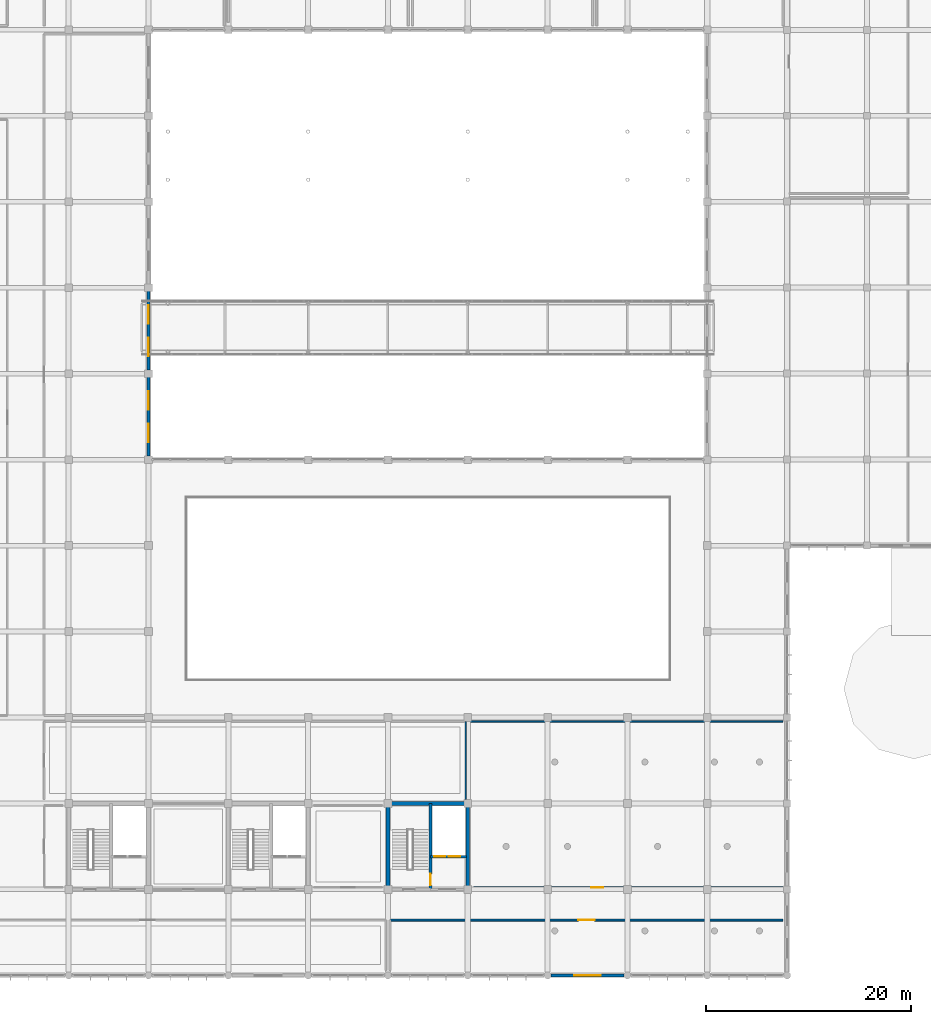
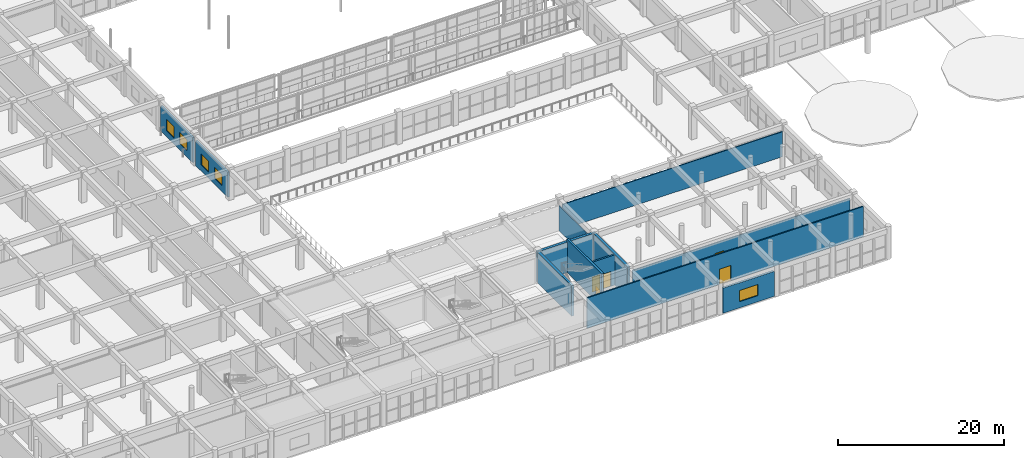
# One storey, part 161 of 175: 12 walls, 5 doors, 5 windows, 10 openings.
"""IFC4 building model written with IfcOpenShell, lengths in metres."""

from ifc_helpers import new_model, si_unit, direction, frame, frame_2d, origin, place, context, subcontext, project, spatial, rectangle, extrude, material, layer, layer_set, type_object, element, fill, save


model = new_model("IFC4")

# Units and contexts
model_context = context("Model", 3, precision=1e-05, world=origin(), true_north=direction((0.0, 1.0)))
body_context = subcontext(model_context, "Body", "Model", "MODEL_VIEW")
ifc_project = project(units=[si_unit("LENGTHUNIT", "METRE"), si_unit("AREAUNIT", "SQUARE_METRE"), si_unit("VOLUMEUNIT", "CUBIC_METRE"), si_unit("PLANEANGLEUNIT", "RADIAN"), si_unit("MASSUNIT", "GRAM", prefix="KILO")], contexts=[model_context])

# Site, building, storey
site_placement = place(None, origin())
site = spatial("IfcSite", under=ifc_project, at=site_placement, CompositionType="ELEMENT")
building_placement = place(site_placement, origin())
building = spatial("IfcBuilding", under=site, at=building_placement, Name="Zizhar Promenade General Hospital", CompositionType="ELEMENT")
storey_placement = place(building_placement, frame((0.0, 0.0, 4.800048828125)))
storey = spatial("IfcBuildingStorey", under=building, at=storey_placement, Name="L01", CompositionType="ELEMENT", Elevation=4.800048828125)

# Wall, openings, windows
ifc_material_1 = material(Name="Precast concrete C40/50", Category="concrete")
ifc_layer_1 = layer(ifc_material_1, 0.260009765625)
ifc_layer_set_1 = layer_set([ifc_layer_1], Name="Precast concrete C40/50")
wall_type_1 = type_object("IfcWallType", Name="EW-PC-260", PredefinedType="STANDARD", material=ifc_layer_set_1)
wall_1_placement = place(storey_placement, frame((70.199951171875, 50.739990234375, 0.0), z_axis=(0.0, 0.0, 1.0), x_axis=(0.0, 1.0, 0.0)))
wall_1 = element("IfcWall", 1, at=wall_1_placement, inside=storey, type_object=wall_type_1, Name="Garden Court West Wall L01-6", PredefinedType="STANDARD", context=body_context, shape_type="SweptSolid", body=[
    extrude(rectangle(XDim=7.719970703125, YDim=0.260009765625, at=frame_2d((3.85986328125, 0.0))), origin(), (0.0, 0.0, 1.0), 3.6650390625),
])
opening_1_placement = place(wall_1_placement, frame((1.373291015625, 0.0, 0.89990234375)))
opening_1 = element("IfcOpeningElement", 2, at=opening_1_placement, cuts=wall_1, Name="Opening W-08", PredefinedType="OPENING", context=body_context, shape_type="SweptSolid", body=[
    extrude(rectangle(XDim=1.800048828125, YDim=1.64990234375, at=frame_2d((0.89990234375, 0.824951171875))), frame((0.0, 0.14013671875, 0.0), z_axis=(0.0, -1.0, 0.0), x_axis=(1.0, 0.0, 0.0)), (0.0, 0.0, 1.0), 0.280029296875),
])
opening_2_placement = place(wall_1_placement, frame((4.546630859375, 0.0, 0.89990234375)))
opening_2 = element("IfcOpeningElement", 3, at=opening_2_placement, cuts=wall_1, Name="Opening W-08", PredefinedType="OPENING", context=body_context, shape_type="SweptSolid", body=[
    extrude(rectangle(XDim=1.800048828125, YDim=1.64990234375, at=frame_2d((0.89990234375, 0.824951171875))), frame((0.0, 0.14013671875, 0.0), z_axis=(0.0, -1.0, 0.0), x_axis=(1.0, 0.0, 0.0)), (0.0, 0.0, 1.0), 0.280029296875),
])
ifc_material_2 = material(Name="Anodised aluminium 6063-T6 and low-E glass", Category="aluminium")
window_type_1 = type_object("IfcWindowType", Name="WIN-CLN-180x165", PartitioningType="DOUBLE_PANEL_VERTICAL", PredefinedType="WINDOW", material=ifc_material_2)
window_1_placement = place(opening_1_placement, origin())
window_1 = element("IfcWindow", 4, at=window_1_placement, inside=storey, type_object=window_type_1, Name="Garden Court West Wall L01-6 Window 1", OverallHeight=1.64990234375, OverallWidth=1.800048828125, PartitioningType="SINGLE_PANEL", PredefinedType="WINDOW", context=body_context, shape_type="SweptSolid", body=[
    extrude(rectangle(XDim=1.800048828125, YDim=1.64990234375, at=frame_2d((0.89990234375, 0.824951171875))), frame((0.0, 0.030029296875, 0.0), z_axis=(0.0, -1.0, 0.0), x_axis=(1.0, 0.0, 0.0)), (0.0, 0.0, 1.0), 0.06005859375),
])
fill(opening_1, window_1)
window_2_placement = place(opening_2_placement, origin())
window_2 = element("IfcWindow", 5, at=window_2_placement, inside=storey, type_object=window_type_1, Name="Garden Court West Wall L01-6 Window 2", OverallHeight=1.64990234375, OverallWidth=1.800048828125, PartitioningType="SINGLE_PANEL", PredefinedType="WINDOW", context=body_context, shape_type="SweptSolid", body=[
    extrude(rectangle(XDim=1.800048828125, YDim=1.64990234375, at=frame_2d((0.89990234375, 0.824951171875))), frame((0.0, 0.030029296875, 0.0), z_axis=(0.0, -1.0, 0.0), x_axis=(1.0, 0.0, 0.0)), (0.0, 0.0, 1.0), 0.06005859375),
])
fill(opening_2, window_2)

wall_2_placement = place(storey_placement, frame((70.199951171875, 59.139892578125, 0.0), z_axis=(0.0, 0.0, 1.0), x_axis=(0.0, 1.0, 0.0)))
wall_2 = element("IfcWall", 6, at=wall_2_placement, inside=storey, type_object=wall_type_1, Name="Garden Court West Wall L01-7", PredefinedType="STANDARD", context=body_context, shape_type="SweptSolid", body=[
    extrude(rectangle(XDim=7.72021484375, YDim=0.260009765625, at=frame_2d((3.860107421875, 0.0))), origin(), (0.0, 0.0, 1.0), 3.6650390625),
])
opening_3_placement = place(wall_2_placement, frame((1.373291015625, 0.0, 0.89990234375)))
opening_3 = element("IfcOpeningElement", 7, at=opening_3_placement, cuts=wall_2, Name="Opening W-08", PredefinedType="OPENING", context=body_context, shape_type="SweptSolid", body=[
    extrude(rectangle(XDim=1.800048828125, YDim=1.64990234375, at=frame_2d((0.89990234375, 0.824951171875))), frame((0.0, 0.14013671875, 0.0), z_axis=(0.0, -1.0, 0.0), x_axis=(1.0, 0.0, 0.0)), (0.0, 0.0, 1.0), 0.280029296875),
])
opening_4_placement = place(wall_2_placement, frame((4.546630859375, 0.0, 0.89990234375)))
opening_4 = element("IfcOpeningElement", 8, at=opening_4_placement, cuts=wall_2, Name="Opening W-08", PredefinedType="OPENING", context=body_context, shape_type="SweptSolid", body=[
    extrude(rectangle(XDim=1.800048828125, YDim=1.64990234375, at=frame_2d((0.89990234375, 0.824951171875))), frame((0.0, 0.14013671875, 0.0), z_axis=(0.0, -1.0, 0.0), x_axis=(1.0, 0.0, 0.0)), (0.0, 0.0, 1.0), 0.280029296875),
])
window_3_placement = place(opening_3_placement, origin())
window_3 = element("IfcWindow", 9, at=window_3_placement, inside=storey, type_object=window_type_1, Name="Garden Court West Wall L01-7 Window 1", OverallHeight=1.64990234375, OverallWidth=1.800048828125, PartitioningType="SINGLE_PANEL", PredefinedType="WINDOW", context=body_context, shape_type="SweptSolid", body=[
    extrude(rectangle(XDim=1.800048828125, YDim=1.64990234375, at=frame_2d((0.89990234375, 0.824951171875))), frame((0.0, 0.030029296875, 0.0), z_axis=(0.0, -1.0, 0.0), x_axis=(1.0, 0.0, 0.0)), (0.0, 0.0, 1.0), 0.06005859375),
])
fill(opening_3, window_3)
window_4_placement = place(opening_4_placement, origin())
window_4 = element("IfcWindow", 10, at=window_4_placement, inside=storey, type_object=window_type_1, Name="Garden Court West Wall L01-7 Window 2", OverallHeight=1.64990234375, OverallWidth=1.800048828125, PartitioningType="SINGLE_PANEL", PredefinedType="WINDOW", context=body_context, shape_type="SweptSolid", body=[
    extrude(rectangle(XDim=1.800048828125, YDim=1.64990234375, at=frame_2d((0.89990234375, 0.824951171875))), frame((0.0, 0.030029296875, 0.0), z_axis=(0.0, -1.0, 0.0), x_axis=(1.0, 0.0, 0.0)), (0.0, 0.0, 1.0), 0.06005859375),
])
fill(opening_4, window_4)

# Wall, opening, window
ifc_material_3 = material(Name="Precast concrete C40/50", Category="concrete")
ifc_layer_2 = layer(ifc_material_3, 0.2900390625)
ifc_layer_set_2 = layer_set([ifc_layer_2], Name="Precast concrete C40/50")
wall_type_2 = type_object("IfcWallType", Name="EW-PC-290", PredefinedType="STANDARD", material=ifc_layer_set_2)
wall_3_placement = place(storey_placement, frame((116.659912109375, 0.0, 0.0), z_axis=(0.0, 0.0, 1.0), x_axis=(-1.0, 0.0, 0.0)))
wall_3 = element("IfcWall", 11, at=wall_3_placement, inside=storey, type_object=wall_type_2, Name="Riverfront Facade Wall L01-13", PredefinedType="STANDARD", context=body_context, shape_type="SweptSolid", body=[
    extrude(rectangle(XDim=7.119873046875, YDim=0.2900390625, at=frame_2d((3.56005859375, 0.0))), origin(), (0.0, 0.0, 1.0), 3.679931640625),
])
opening_5_placement = place(wall_3_placement, frame((2.260009765625, 0.0, 0.89990234375)))
opening_5 = element("IfcOpeningElement", 12, at=opening_5_placement, cuts=wall_3, Name="Opening W-06", PredefinedType="OPENING", context=body_context, shape_type="SweptSolid", body=[
    extrude(rectangle(XDim=2.60009765625, YDim=1.64990234375, at=frame_2d((1.300048828125, 0.824951171875))), frame((0.0, 0.155029296875, 0.0), z_axis=(0.0, -1.0, 0.0), x_axis=(1.0, 0.0, 0.0)), (0.0, 0.0, 1.0), 0.31005859375),
])
ifc_material_4 = material(Name="Anodised aluminium 6063-T6 and low-E glass", Category="aluminium")
window_type_2 = type_object("IfcWindowType", Name="WIN-CLN-260x165", PartitioningType="TRIPLE_PANEL_VERTICAL", PredefinedType="WINDOW", material=ifc_material_4)
window_5_placement = place(opening_5_placement, origin())
window_5 = element("IfcWindow", 13, at=window_5_placement, inside=storey, type_object=window_type_2, Name="Riverfront Facade Wall L01-13 Window 1", OverallHeight=1.64990234375, OverallWidth=2.60009765625, PartitioningType="SINGLE_PANEL", PredefinedType="WINDOW", context=body_context, shape_type="SweptSolid", body=[
    extrude(rectangle(XDim=2.60009765625, YDim=1.64990234375, at=frame_2d((1.300048828125, 0.824951171875))), frame((0.0, 0.030029296875, 0.0), z_axis=(0.0, -1.0, 0.0), x_axis=(1.0, 0.0, 0.0)), (0.0, 0.0, 1.0), 0.06005859375),
])
fill(opening_5, window_5)

# Wall, opening, door
ifc_material_5 = material(Name="Acoustic double-stud clinical partition")
ifc_layer_3 = layer(ifc_material_5, 0.179931640625)
ifc_layer_set_3 = layer_set([ifc_layer_3], Name="Acoustic double-stud clinical partition")
wall_type_3 = type_object("IfcWallType", Name="IW-ICU-180", PredefinedType="PARTITIONING", material=ifc_layer_set_3)
wall_4_placement = place(storey_placement, frame((93.800048828125, 5.39990234375, 0.0), z_axis=(0.0, 0.0, 1.0), x_axis=(1.0, 0.0, 0.0)))
wall_4 = element("IfcWall", 14, at=wall_4_placement, inside=storey, type_object=wall_type_3, Name="Coronary Intensive Care Unit N Partition", PredefinedType="PARTITIONING", context=body_context, shape_type="SweptSolid", body=[
    extrude(rectangle(XDim=38.39990234375, YDim=0.179931640625, at=frame_2d((19.199951171875, 0.0))), origin(), (0.0, 0.0, 1.0), 4.4599609375),
])
opening_6_placement = place(wall_4_placement, frame((18.39990234375, 0.0, 0.0)))
opening_6 = element("IfcOpeningElement", 15, at=opening_6_placement, cuts=wall_4, Name="Opening D-05", PredefinedType="OPENING", context=body_context, shape_type="SweptSolid", body=[
    extrude(rectangle(XDim=1.60009765625, YDim=2.25, at=frame_2d((0.800048828125, 1.125))), frame((0.0, 0.10009765625, 0.0), z_axis=(0.0, -1.0, 0.0), x_axis=(1.0, 0.0, 0.0)), (0.0, 0.0, 1.0), 0.199951171875),
])
ifc_material_6 = material(Name="Anodised aluminium and clinical glass", Category="aluminium")
door_type_1 = type_object("IfcDoorType", Name="DR-ICU-GLZ-160x225", OperationType="SLIDING_TO_RIGHT", PredefinedType="DOOR", material=ifc_material_6)
door_1_placement = place(opening_6_placement, origin())
door_1 = element("IfcDoor", 16, at=door_1_placement, inside=storey, type_object=door_type_1, Name="Coronary Intensive Care Unit Door", OperationType="SLIDING_TO_RIGHT", OverallHeight=2.25, OverallWidth=1.60009765625, PredefinedType="DOOR", context=body_context, shape_type="SweptSolid", body=[
    extrude(rectangle(XDim=1.60009765625, YDim=2.25, at=frame_2d((0.800048828125, 1.125))), frame((0.0, 0.02490234375, 0.0), z_axis=(0.0, -1.0, 0.0), x_axis=(1.0, 0.0, 0.0)), (0.0, 0.0, 1.0), 0.050048828125),
])
fill(opening_6, door_1)

# Wall
ifc_material_7 = material(Name="Chemical-resistant laboratory partition")
ifc_layer_4 = layer(ifc_material_7, 0.135009765625)
ifc_layer_set_4 = layer_set([ifc_layer_4], Name="Chemical-resistant laboratory partition")
wall_type_4 = type_object("IfcWallType", Name="IW-LAB-135", PredefinedType="PARTITIONING", material=ifc_layer_set_4)
wall_5_placement = place(storey_placement, frame((101.199951171875, 17.199951171875, 0.0), z_axis=(0.0, 0.0, 1.0), x_axis=(0.0, 1.0, 0.0)))
element("IfcWall", 17, at=wall_5_placement, inside=storey, type_object=wall_type_4, Name="Clinical Haematology and Biochemistry Laboratory E Partition", PredefinedType="PARTITIONING", context=body_context, shape_type="SweptSolid", body=[
    extrude(rectangle(XDim=7.60009765625, YDim=0.135009765625, at=frame_2d((3.800048828125, 0.0))), origin(), (0.0, 0.0, 1.0), 3.6650390625),
])

# Wall, opening, door
wall_6_placement = place(storey_placement, frame((101.9599609375, 8.60009765625, 0.0), z_axis=(0.0, 0.0, 1.0), x_axis=(1.0, 0.0, 0.0)))
wall_6 = element("IfcWall", 18, at=wall_6_placement, inside=storey, type_object=wall_type_4, Name="Specimen Reception and Microbiology Laboratory S Partition", PredefinedType="PARTITIONING", context=body_context, shape_type="SweptSolid", body=[
    extrude(rectangle(XDim=30.239990234375, YDim=0.135009765625, at=frame_2d((15.1201171875, 0.0))), origin(), (0.0, 0.0, 1.0), 3.679931640625),
])
opening_7_placement = place(wall_6_placement, frame((11.49609375, 0.0, 0.0)))
opening_7 = element("IfcOpeningElement", 19, at=opening_7_placement, cuts=wall_6, Name="Opening D-16", PredefinedType="OPENING", context=body_context, shape_type="SweptSolid", body=[
    extrude(rectangle(XDim=1.199951171875, YDim=2.14990234375, at=frame_2d((0.60009765625, 1.074951171875))), frame((0.0, 0.07763671875, 0.0), z_axis=(0.0, -1.0, 0.0), x_axis=(1.0, 0.0, 0.0)), (0.0, 0.0, 1.0), 0.155029296875),
])
ifc_material_8 = material(Name="Fire-rated timber laboratory leaf", Category="wood")
door_type_2 = type_object("IfcDoorType", Name="DR-LAB-120x215", OperationType="NOTDEFINED", PredefinedType="DOOR", material=ifc_material_8)
door_2_placement = place(opening_7_placement, origin())
door_2 = element("IfcDoor", 20, at=door_2_placement, inside=storey, type_object=door_type_2, Name="Specimen Reception and Microbiology Laboratory Door", OperationType="SINGLE_SWING_RIGHT", OverallHeight=2.14990234375, OverallWidth=1.199951171875, PredefinedType="DOOR", context=body_context, shape_type="SweptSolid", body=[
    extrude(rectangle(XDim=1.199951171875, YDim=2.14990234375, at=frame_2d((0.60009765625, 1.074951171875))), frame((0.0, 0.02490234375, 0.0), z_axis=(0.0, -1.0, 0.0), x_axis=(1.0, 0.0, 0.0)), (0.0, 0.0, 1.0), 0.050048828125),
])
fill(opening_7, door_2)

# Wall
wall_7_placement = place(storey_placement, frame((101.60009765625, 24.800048828125, 0.0), z_axis=(0.0, 0.0, 1.0), x_axis=(1.0, 0.0, 0.0)))
element("IfcWall", 21, at=wall_7_placement, inside=storey, type_object=wall_type_4, Name="Specimen Reception and Microbiology Laboratory N Partition", PredefinedType="PARTITIONING", context=body_context, shape_type="SweptSolid", body=[
    extrude(rectangle(XDim=30.599853515625, YDim=0.135009765625, at=frame_2d((15.2998046875, 0.0))), origin(), (0.0, 0.0, 1.0), 3.679931640625),
])

# Wall, openings, doors
ifc_material_9 = material(Name="Concrete C35/45", Category="concrete")
ifc_layer_5 = layer(ifc_material_9, 0.25)
ifc_layer_set_5 = layer_set([ifc_layer_5], Name="Concrete C35/45")
wall_type_5 = type_object("IfcWallType", Name="IW-SHAFT-250", PredefinedType="STANDARD", material=ifc_layer_set_5)
wall_8_placement = place(storey_placement, frame((97.75, 11.60009765625, 0.0), z_axis=(0.0, 0.0, 1.0), x_axis=(1.0, 0.0, 0.0)))
wall_8 = element("IfcWall", 22, at=wall_8_placement, inside=storey, type_object=wall_type_5, Name="Core C5 Lift Shaft Landing Wall (L01)", PredefinedType="STANDARD", context=body_context, shape_type="SweptSolid", body=[
    extrude(rectangle(XDim=3.5, YDim=0.25, at=frame_2d((1.75, 0.0))), origin(), (0.0, 0.0, 1.0), 4.4599609375),
])
opening_8_placement = place(wall_8_placement, frame((0.35009765625, 0.0, 0.0)))
opening_8 = element("IfcOpeningElement", 23, at=opening_8_placement, cuts=wall_8, Name="Opening LD-11", PredefinedType="OPENING", context=body_context, shape_type="SweptSolid", body=[
    extrude(rectangle(XDim=1.10009765625, YDim=2.199951171875, at=frame_2d((0.550048828125, 1.10009765625))), frame((0.0, 0.135009765625, 0.0), z_axis=(0.0, -1.0, 0.0), x_axis=(1.0, 0.0, 0.0)), (0.0, 0.0, 1.0), 0.27001953125),
])
opening_9_placement = place(wall_8_placement, frame((1.800048828125, 0.0, 0.0)))
opening_9 = element("IfcOpeningElement", 24, at=opening_9_placement, cuts=wall_8, Name="Opening LD-11", PredefinedType="OPENING", context=body_context, shape_type="SweptSolid", body=[
    extrude(rectangle(XDim=1.10009765625, YDim=2.199951171875, at=frame_2d((0.550048828125, 1.10009765625))), frame((0.0, 0.135009765625, 0.0), z_axis=(0.0, -1.0, 0.0), x_axis=(1.0, 0.0, 0.0)), (0.0, 0.0, 1.0), 0.27001953125),
])
ifc_material_10 = material(Name="Stainless Steel S355 passenger lift landing door", Category="steel")
door_type_3 = type_object("IfcDoorType", Name="DR-LIFT-LD11", OperationType="SLIDING_TO_LEFT", PredefinedType="DOOR", material=ifc_material_10)
door_3_placement = place(opening_8_placement, origin())
door_3 = element("IfcDoor", 25, at=door_3_placement, inside=storey, type_object=door_type_3, Name="Lift LF-02 Sliding Landing Door (L01)", OperationType="SLIDING_TO_LEFT", OverallHeight=2.199951171875, OverallWidth=1.10009765625, PredefinedType="DOOR", context=body_context, shape_type="SweptSolid", body=[
    extrude(rectangle(XDim=1.10009765625, YDim=2.199951171875, at=frame_2d((0.550048828125, 1.10009765625))), frame((0.0, 0.02490234375, 0.0), z_axis=(0.0, -1.0, 0.0), x_axis=(1.0, 0.0, 0.0)), (0.0, 0.0, 1.0), 0.050048828125),
])
fill(opening_8, door_3)
door_4_placement = place(opening_9_placement, origin())
door_4 = element("IfcDoor", 26, at=door_4_placement, inside=storey, type_object=door_type_3, Name="Lift LB-04 Sliding Landing Door (L01)", OperationType="SLIDING_TO_LEFT", OverallHeight=2.199951171875, OverallWidth=1.10009765625, PredefinedType="DOOR", context=body_context, shape_type="SweptSolid", body=[
    extrude(rectangle(XDim=1.10009765625, YDim=2.199951171875, at=frame_2d((0.550048828125, 1.10009765625))), frame((0.0, 0.02490234375, 0.0), z_axis=(0.0, -1.0, 0.0), x_axis=(1.0, 0.0, 0.0)), (0.0, 0.0, 1.0), 0.050048828125),
])
fill(opening_9, door_4)

# Wall, opening, door
ifc_material_11 = material(Name="Concrete C40/50", Category="concrete")
ifc_layer_6 = layer(ifc_material_11, 0.300048828125)
ifc_layer_set_6 = layer_set([ifc_layer_6], Name="Concrete C40/50")
wall_type_6 = type_object("IfcWallType", Name="WL-CORE-300", PredefinedType="SHEAR", material=ifc_layer_set_6)
wall_9_placement = place(storey_placement, frame((97.75, 8.39990234375, 0.0), z_axis=(0.0, 0.0, 1.0), x_axis=(0.0, 1.0, 0.0)))
wall_9 = element("IfcWall", 27, at=wall_9_placement, inside=storey, type_object=wall_type_6, Name="Core C5 Stair-Shaft Separation Wall (L01)", PredefinedType="SHEAR", context=body_context, shape_type="SweptSolid", body=[
    extrude(rectangle(XDim=8.400146484375, YDim=0.300048828125, at=frame_2d((4.2001953125, 0.0))), origin(), (0.0, 0.0, 1.0), 4.800048828125),
])
opening_10_placement = place(wall_9_placement, frame((0.39990234375, 0.0, 0.0)))
opening_10 = element("IfcOpeningElement", 28, at=opening_10_placement, cuts=wall_9, Name="Opening D-21", PredefinedType="OPENING", context=body_context, shape_type="SweptSolid", body=[
    extrude(rectangle(XDim=1.1201171875, YDim=2.14990234375, at=frame_2d((0.56005859375, 1.074951171875))), frame((0.0, 0.16015625, 0.0), z_axis=(0.0, -1.0, 0.0), x_axis=(1.0, 0.0, 0.0)), (0.0, 0.0, 1.0), 0.320068359375),
])
ifc_material_12 = material(Name="Steel S355 protected stair door", Category="steel")
door_type_4 = type_object("IfcDoorType", Name="DR-STAIR-112x215", OperationType="NOTDEFINED", PredefinedType="DOOR", material=ifc_material_12)
door_5_placement = place(opening_10_placement, origin())
door_5 = element("IfcDoor", 29, at=door_5_placement, inside=storey, type_object=door_type_4, Name="Firefighting Lobby to Stair ST-05 Door (L01)", OperationType="SINGLE_SWING_LEFT", OverallHeight=2.14990234375, OverallWidth=1.1201171875, PredefinedType="DOOR", context=body_context, shape_type="SweptSolid", body=[
    extrude(rectangle(XDim=1.1201171875, YDim=2.14990234375, at=frame_2d((0.56005859375, 1.074951171875))), frame((0.0, 0.02490234375, 0.0), z_axis=(0.0, -1.0, 0.0), x_axis=(1.0, 0.0, 0.0)), (0.0, 0.0, 1.0), 0.050048828125),
])
fill(opening_10, door_5)

# Walls
ifc_material_13 = material(Name="Concrete C40/50", Category="concrete")
ifc_layer_7 = layer(ifc_material_13, 0.35009765625)
ifc_layer_set_7 = layer_set([ifc_layer_7], Name="Concrete C40/50")
wall_type_7 = type_object("IfcWallType", Name="WL-CORE-350", PredefinedType="SHEAR", material=ifc_layer_set_7)
wall_10_placement = place(storey_placement, frame((93.425048828125, 16.800048828125, 0.0), z_axis=(0.0, 0.0, 1.0), x_axis=(1.0, 0.0, 0.0)))
element("IfcWall", 30, at=wall_10_placement, inside=storey, type_object=wall_type_7, Name="Core C5 North Shear Wall L01", PredefinedType="SHEAR", context=body_context, shape_type="SweptSolid", body=[
    extrude(rectangle(XDim=8.14990234375, YDim=0.35009765625, at=frame_2d((4.074951171875, 0.0))), origin(), (0.0, 0.0, 1.0), 4.47998046875),
])
for number, where, z_axis, x_axis, name in (
    (31, (93.60009765625, 8.39990234375, 0.0), (0.0, 0.0, 1.0), (0.0, 1.0, 0.0), "Core C5 West Shear Wall L01"),
    (32, (101.39990234375, 8.39990234375, 0.0), (0.0, 0.0, 1.0), (0.0, 1.0, 0.0), "Core C5 East Shear Wall L01"),
):
    element("IfcWall", number, at=place(storey_placement, frame(where, z_axis=z_axis, x_axis=x_axis)), inside=storey, type_object=wall_type_7, Name=name, PredefinedType="SHEAR", context=body_context, shape_type="SweptSolid", body=[
        extrude(rectangle(XDim=8.400146484375, YDim=0.35009765625, at=frame_2d((4.2001953125, 0.0))), origin(), (0.0, 0.0, 1.0), 4.47998046875),
    ])

save(model, "model.ifc")
